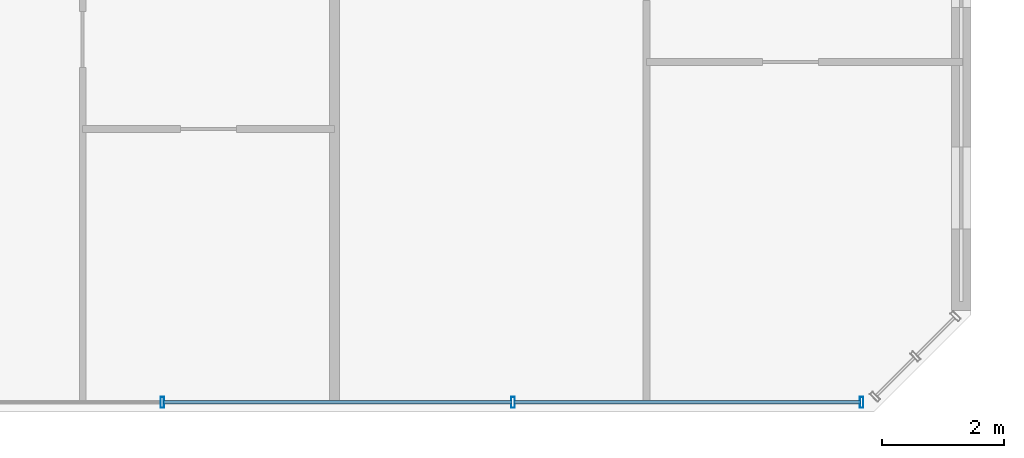
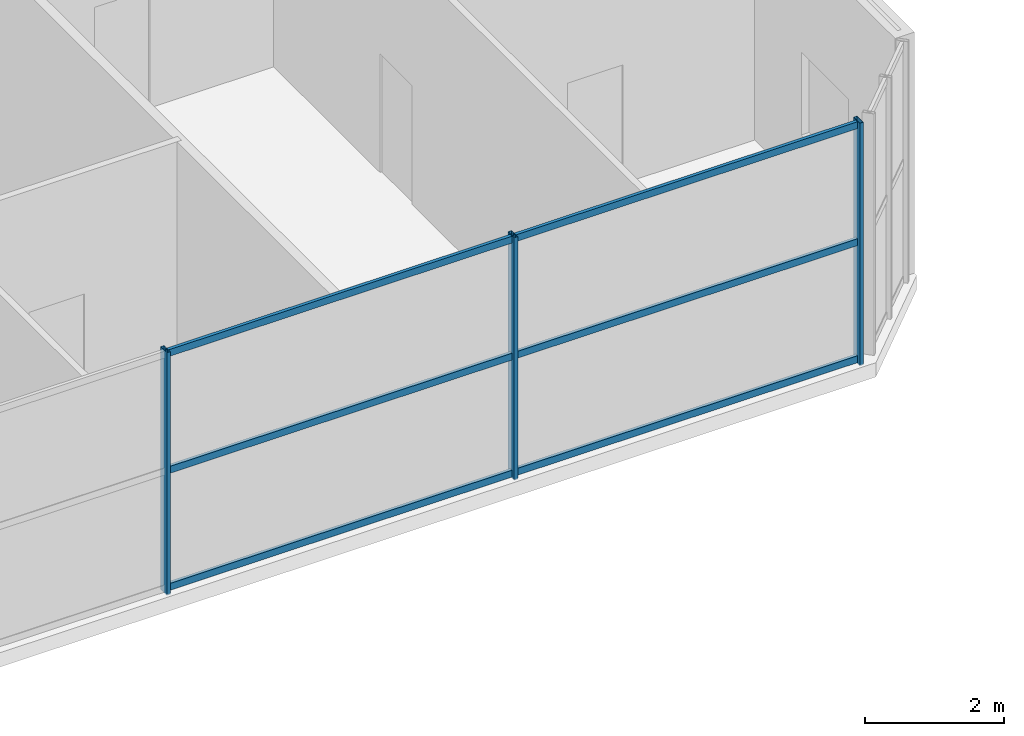
# One storey, part 9 of 34: 9 members, 1 element without a shape of its own.
"""IFC4 building model written with IfcOpenShell, lengths in metres."""

from ifc_helpers import new_model, si_unit, direction, frame, origin, origin_2d, place, context, subcontext, project, spatial, hollow_rectangle, extrude, source, transform, mapped, material, material_profile, profile_set, type_object, element, aggregate, save


model = new_model("IFC4")

# Units and contexts
model_context = context("Model", 3, precision=1e-05, world=origin(), true_north=direction((0.0, 1.0)))
body_context = subcontext(model_context, "Body", "Model", "MODEL_VIEW")
ifc_project = project(units=[si_unit("LENGTHUNIT", "METRE"), si_unit("AREAUNIT", "SQUARE_METRE"), si_unit("VOLUMEUNIT", "CUBIC_METRE"), si_unit("PLANEANGLEUNIT", "RADIAN"), si_unit("MASSUNIT", "GRAM", prefix="KILO")], contexts=[model_context])

# Site, building, storey
site_placement = place(None, origin())
site = spatial("IfcSite", under=ifc_project, at=site_placement, CompositionType="ELEMENT")
building_placement = place(site_placement, origin())
building = spatial("IfcBuilding", under=site, at=building_placement, Name="Tlacorven Tower", CompositionType="ELEMENT")
storey_placement = place(building_placement, frame((0.0, 0.0, 229.199951171875)))
storey = spatial("IfcBuildingStorey", under=building, at=storey_placement, Name="L58", CompositionType="ELEMENT", Elevation=229.199951171875)

# Curtain wall, members
ifc_material_1 = material(Name="Dark solar low-E double glazing in aluminium frame", Category="aluminium")
curtain_wall_type = type_object("IfcCurtainWallType", Name="CW-TWR-HIGH", PredefinedType="USERDEFINED", material=ifc_material_1)
curtain_wall_placement = place(storey_placement, origin())
curtain_wall = element("IfcCurtainWall", 1, at=curtain_wall_placement, inside=storey, type_object=curtain_wall_type, Name="L58 CW-TWR-HIGH Curtain Wall 263", ObjectType="UNITISED CURTAIN WALL", PredefinedType="USERDEFINED")
ifc_material_2 = material(Name="Aluminium 6063-T6 anodised", Category="aluminium")
ifc_material_profile_1 = material_profile(ifc_material_2, hollow_rectangle(XDim=0.054931640625, YDim=0.1201171875, WallThickness=0.00341796875, at=origin_2d()), Name="ALU TRANSOM 55X120")
ifc_profile_set_1 = profile_set([ifc_material_profile_1], Name="Aluminium 6063-T6 anodised")
member_type_1 = type_object("IfcMemberType", Name="CWT-03", PredefinedType="USERDEFINED", material=ifc_profile_set_1)
shared_shape_1 = source(origin(), body_context, "Body", "SweptSolid", [
    extrude(hollow_rectangle(XDim=0.054931640625, YDim=0.1201171875, WallThickness=0.00341796875, at=origin_2d()), origin(), (0.0, 0.0, 1.0), 5.689697265625),
])
member_1_placement = place(storey_placement, frame((50.585693359375, 1.9599609375, 0.06005859375), z_axis=(-1.0, 0.0, 0.0), x_axis=(0.0, -1.0, 0.0)))
member_1 = element("IfcMember", 2, at=member_1_placement, type_object=member_type_1, Name="CW-L58-263 Transom 1", ObjectType="TRANSOM", PredefinedType="USERDEFINED", context=body_context, shape_type="MappedRepresentation", body=[
    mapped(shared_shape_1, transform((0.0, 0.0, 0.0), scale=1.0)),
])
member_2_placement = place(storey_placement, frame((50.585693359375, 1.9599609375, 2.110107421875), z_axis=(-1.0, 0.0, 0.0), x_axis=(0.0, -1.0, 0.0)))
member_2 = element("IfcMember", 3, at=member_2_placement, type_object=member_type_1, Name="CW-L58-263 Transom 2", ObjectType="TRANSOM", PredefinedType="USERDEFINED", context=body_context, shape_type="MappedRepresentation", body=[
    mapped(shared_shape_1, transform((0.0, 0.0, 0.0), scale=1.0)),
])
member_3_placement = place(storey_placement, frame((50.585693359375, 1.9599609375, 4.16015625), z_axis=(-1.0, 0.0, 0.0), x_axis=(0.0, -1.0, 0.0)))
member_3 = element("IfcMember", 4, at=member_3_placement, type_object=member_type_1, Name="CW-L58-263 Transom 3", ObjectType="TRANSOM", PredefinedType="USERDEFINED", context=body_context, shape_type="MappedRepresentation", body=[
    mapped(shared_shape_1, transform((0.0, 0.0, 0.0), scale=1.0)),
])
shared_shape_2 = source(origin(), body_context, "Body", "SweptSolid", [
    extrude(hollow_rectangle(XDim=0.054931640625, YDim=0.1201171875, WallThickness=0.00341796875, at=origin_2d()), origin(), (0.0, 0.0, 1.0), 5.7197265625),
])
member_4_placement = place(storey_placement, frame((44.85986328125, 1.9599609375, 0.06005859375), z_axis=(-1.0, 0.0, 0.0), x_axis=(0.0, -1.0, 0.0)))
member_4 = element("IfcMember", 5, at=member_4_placement, type_object=member_type_1, Name="CW-L58-263 Transom 4", ObjectType="TRANSOM", PredefinedType="USERDEFINED", context=body_context, shape_type="MappedRepresentation", body=[
    mapped(shared_shape_2, transform((0.0, 0.0, 0.0), scale=1.0)),
])
member_5_placement = place(storey_placement, frame((44.85986328125, 1.9599609375, 2.110107421875), z_axis=(-1.0, 0.0, 0.0), x_axis=(0.0, -1.0, 0.0)))
member_5 = element("IfcMember", 6, at=member_5_placement, type_object=member_type_1, Name="CW-L58-263 Transom 5", ObjectType="TRANSOM", PredefinedType="USERDEFINED", context=body_context, shape_type="MappedRepresentation", body=[
    mapped(shared_shape_2, transform((0.0, 0.0, 0.0), scale=1.0)),
])
member_6_placement = place(storey_placement, frame((44.85986328125, 1.9599609375, 4.16015625), z_axis=(-1.0, 0.0, 0.0), x_axis=(0.0, -1.0, 0.0)))
member_6 = element("IfcMember", 7, at=member_6_placement, type_object=member_type_1, Name="CW-L58-263 Transom 6", ObjectType="TRANSOM", PredefinedType="USERDEFINED", context=body_context, shape_type="MappedRepresentation", body=[
    mapped(shared_shape_2, transform((0.0, 0.0, 0.0), scale=1.0)),
])
ifc_material_profile_2 = material_profile(ifc_material_2, hollow_rectangle(XDim=0.06005859375, YDim=0.179931640625, WallThickness=0.00390625, at=origin_2d()), Name="ALU MULLION 60X180")
ifc_profile_set_2 = profile_set([ifc_material_profile_2], Name="Aluminium 6063-T6 anodised")
member_type_2 = type_object("IfcMemberType", Name="CWM-03", PredefinedType="MULLION", material=ifc_profile_set_2)
shared_shape_3 = source(origin(), body_context, "Body", "SweptSolid", [
    extrude(hollow_rectangle(XDim=0.06005859375, YDim=0.179931640625, WallThickness=0.00390625, at=origin_2d()), origin(), (0.0, 0.0, 1.0), 4.25),
])
member_7_placement = place(storey_placement, frame((50.603759765625, 1.9599609375, -0.02001953125), z_axis=(0.0, 0.0, 1.0), x_axis=(-1.0, 0.0, 0.0)))
member_7 = element("IfcMember", 8, at=member_7_placement, type_object=member_type_2, Name="CW-L58-263 Mullion 1", PredefinedType="MULLION", context=body_context, shape_type="MappedRepresentation", body=[
    mapped(shared_shape_3, transform((0.0, 0.0, 0.0), scale=1.0)),
])
member_8_placement = place(storey_placement, frame((44.8779296875, 1.9599609375, -0.02001953125), z_axis=(0.0, 0.0, 1.0), x_axis=(-1.0, 0.0, 0.0)))
member_8 = element("IfcMember", 9, at=member_8_placement, type_object=member_type_2, Name="CW-L58-263 Mullion 2", PredefinedType="MULLION", context=body_context, shape_type="MappedRepresentation", body=[
    mapped(shared_shape_3, transform((0.0, 0.0, 0.0), scale=1.0)),
])
member_9_placement = place(storey_placement, frame((39.1220703125, 1.9599609375, -0.02001953125), z_axis=(0.0, 0.0, 1.0), x_axis=(-1.0, 0.0, 0.0)))
member_9 = element("IfcMember", 10, at=member_9_placement, type_object=member_type_2, Name="CW-L58-263 Mullion 3", PredefinedType="MULLION", context=body_context, shape_type="MappedRepresentation", body=[
    mapped(shared_shape_3, transform((0.0, 0.0, 0.0), scale=1.0)),
])
aggregate(curtain_wall, [member_7, member_8, member_9, member_1, member_2, member_3, member_4, member_5, member_6])

save(model, "model.ifc")
